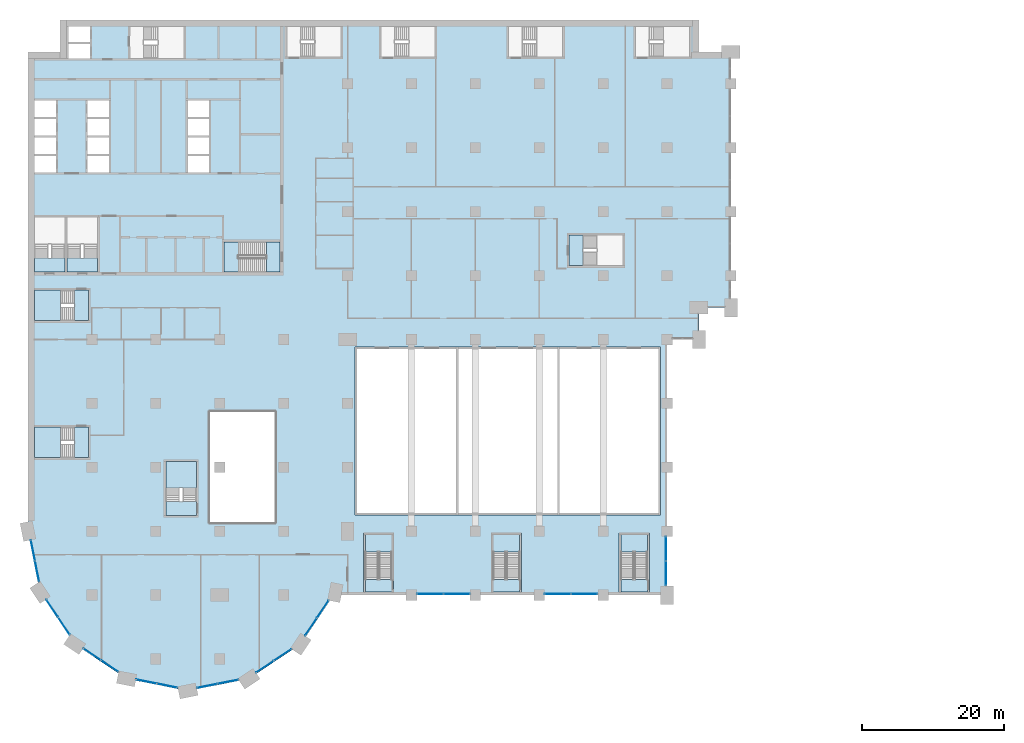
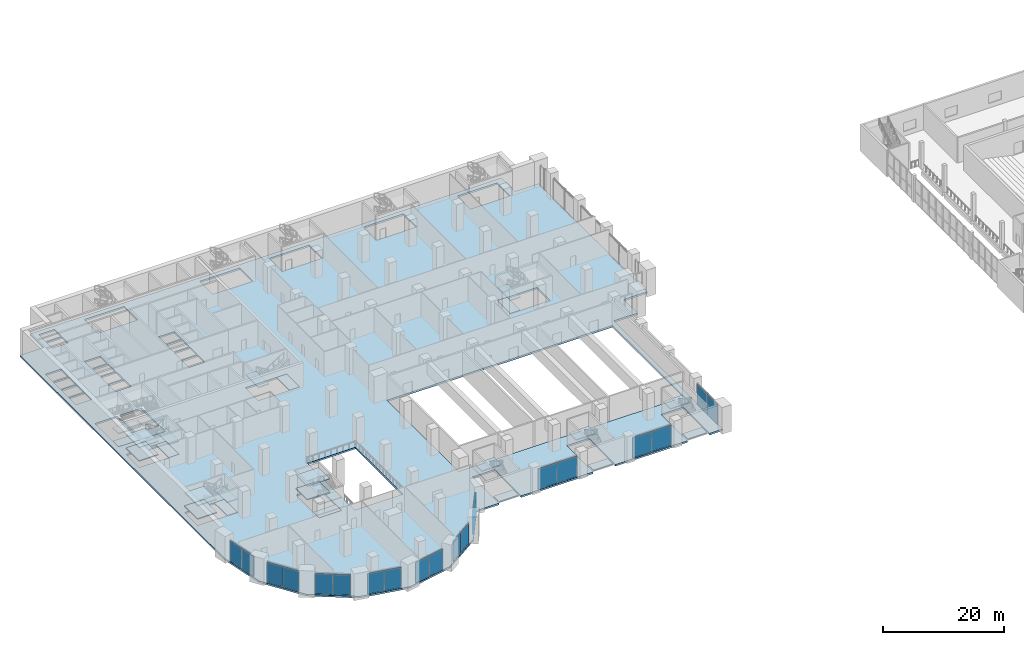
# One storey, part 11 of 43: 27 slabs, 20 plates, 20 elements without a shape of their own.
"""IFC4 building model written with IfcOpenShell, lengths in metres."""

from ifc_helpers import new_model, si_unit, direction, frame, origin, origin_2d, place, context, subcontext, project, spatial, polyline, rectangle, outline, extrude, material, layer, layer_set, type_object, element, aggregate, save


model = new_model("IFC4")

# Units and contexts
model_context = context("Model", 3, precision=1e-05, world=origin(), true_north=direction((0.0, 1.0)))
body_context = subcontext(model_context, "Body", "Model", "MODEL_VIEW")
ifc_project = project(units=[si_unit("LENGTHUNIT", "METRE"), si_unit("AREAUNIT", "SQUARE_METRE"), si_unit("VOLUMEUNIT", "CUBIC_METRE"), si_unit("PLANEANGLEUNIT", "RADIAN"), si_unit("MASSUNIT", "GRAM", prefix="KILO")], contexts=[model_context])

# Site, building, storey
site_placement = place(None, origin())
site = spatial("IfcSite", under=ifc_project, at=site_placement, CompositionType="ELEMENT")
building_placement = place(site_placement, origin())
building = spatial("IfcBuilding", under=site, at=building_placement, Name="Hunhe Ridgeline Campus", CompositionType="ELEMENT")
storey_placement = place(building_placement, frame((0.0, 0.0, 11.39990234375)))
storey = spatial("IfcBuildingStorey", under=building, at=storey_placement, Name="L02", CompositionType="ELEMENT", Elevation=11.39990234375)

# Curtain wall, plates
ifc_material_1 = material(Name="Aluminium and glass", Category="aluminium")
curtain_wall_type = type_object("IfcCurtainWallType", Name="Podium curtain wall CW-2", PredefinedType="NOTDEFINED", material=ifc_material_1)
curtain_wall_1_placement = place(storey_placement, origin())
curtain_wall_1 = element("IfcCurtainWall", 1, at=curtain_wall_1_placement, inside=storey, type_object=curtain_wall_type, Name="L02 podium curtain wall 9", PredefinedType="NOTDEFINED")
ifc_material_2 = material(Name="Clear glass", Category="glass")
ifc_layer_1 = layer(ifc_material_2, 0.028076171875)
ifc_layer_set_1 = layer_set([ifc_layer_1], Name="CW-2 clear glass panel 28")
plate_type = type_object("IfcPlateType", Name="CW-2 clear glass panel 28", PredefinedType="CURTAIN_PANEL", material=ifc_layer_set_1)
plate_1_placement = place(storey_placement, frame((0.69677734375, 24.265869140625, 0.06005859375), z_axis=(0.0, 0.0, 1.0), x_axis=(0.195098458454, -0.98078366193, 0.0)))
plate_1 = element("IfcPlate", 2, at=plate_1_placement, type_object=plate_type, Name="CW2 panel 1.1", PredefinedType="CURTAIN_PANEL", context=body_context, shape_type="SweptSolid", body=[
    extrude(rectangle(XDim=2.914794921875, YDim=0.028076171875, at=origin_2d()), origin(), (0.0, 0.0, 1.0), 4.1298828125),
])
plate_2_placement = place(storey_placement, frame((1.277099609375, 21.34814453125, 0.06005859375), z_axis=(0.0, 0.0, 1.0), x_axis=(0.195098458454, -0.98078366193, 0.0)))
plate_2 = element("IfcPlate", 3, at=plate_2_placement, type_object=plate_type, Name="CW2 panel 2.1", PredefinedType="CURTAIN_PANEL", context=body_context, shape_type="SweptSolid", body=[
    extrude(rectangle(XDim=2.914794921875, YDim=0.028076171875, at=origin_2d()), origin(), (0.0, 0.0, 1.0), 4.1298828125),
])
aggregate(curtain_wall_1, [plate_1, plate_2])

curtain_wall_2_placement = place(storey_placement, origin())
curtain_wall_2 = element("IfcCurtainWall", 4, at=curtain_wall_2_placement, inside=storey, type_object=curtain_wall_type, Name="L02 podium curtain wall 10", PredefinedType="NOTDEFINED")
plate_3_placement = place(storey_placement, frame((3.40283203125, 16.13037109375, 0.06005859375), z_axis=(0.0, 0.0, 1.0), x_axis=(0.555579224709, -0.831463604177, 0.0)))
plate_3 = element("IfcPlate", 5, at=plate_3_placement, type_object=plate_type, Name="CW2 panel 1.1", PredefinedType="CURTAIN_PANEL", context=body_context, shape_type="SweptSolid", body=[
    extrude(rectangle(XDim=2.914794921875, YDim=0.028076171875, at=origin_2d()), origin(), (0.0, 0.0, 1.0), 4.1298828125),
])
plate_4_placement = place(storey_placement, frame((5.055419921875, 13.65673828125, 0.06005859375), z_axis=(0.0, 0.0, 1.0), x_axis=(0.555579224709, -0.831463604177, 0.0)))
plate_4 = element("IfcPlate", 6, at=plate_4_placement, type_object=plate_type, Name="CW2 panel 2.1", PredefinedType="CURTAIN_PANEL", context=body_context, shape_type="SweptSolid", body=[
    extrude(rectangle(XDim=2.914794921875, YDim=0.028076171875, at=origin_2d()), origin(), (0.0, 0.0, 1.0), 4.1298828125),
])
aggregate(curtain_wall_2, [plate_3, plate_4])

curtain_wall_3_placement = place(storey_placement, origin())
curtain_wall_3 = element("IfcCurtainWall", 7, at=curtain_wall_3_placement, inside=storey, type_object=curtain_wall_type, Name="L02 podium curtain wall 11", PredefinedType="NOTDEFINED")
plate_5_placement = place(storey_placement, frame((9.01611328125, 9.649658203125, 0.06005859375), z_axis=(0.0, 0.0, 1.0), x_axis=(0.831468740176, -0.555571538247, 0.0)))
plate_5 = element("IfcPlate", 8, at=plate_5_placement, type_object=plate_type, Name="CW2 panel 1.1", PredefinedType="CURTAIN_PANEL", context=body_context, shape_type="SweptSolid", body=[
    extrude(rectangle(XDim=2.9150390625, YDim=0.028076171875, at=origin_2d()), origin(), (0.0, 0.0, 1.0), 4.1298828125),
])
plate_6_placement = place(storey_placement, frame((11.489501953125, 7.996826171875, 0.06005859375), z_axis=(0.0, 0.0, 1.0), x_axis=(0.831468740176, -0.555571538247, 0.0)))
plate_6 = element("IfcPlate", 9, at=plate_6_placement, type_object=plate_type, Name="CW2 panel 2.1", PredefinedType="CURTAIN_PANEL", context=body_context, shape_type="SweptSolid", body=[
    extrude(rectangle(XDim=2.9150390625, YDim=0.028076171875, at=origin_2d()), origin(), (0.0, 0.0, 1.0), 4.1298828125),
])
aggregate(curtain_wall_3, [plate_5, plate_6])

curtain_wall_4_placement = place(storey_placement, origin())
curtain_wall_4 = element("IfcCurtainWall", 10, at=curtain_wall_4_placement, inside=storey, type_object=curtain_wall_type, Name="L02 podium curtain wall 12", PredefinedType="NOTDEFINED")
plate_7_placement = place(storey_placement, frame((16.68212890625, 5.81005859375, 0.06005859375), z_axis=(0.0, 0.0, 1.0), x_axis=(0.980787479014, -0.195079268527, 0.0)))
plate_7 = element("IfcPlate", 11, at=plate_7_placement, type_object=plate_type, Name="CW2 panel 1.1", PredefinedType="CURTAIN_PANEL", context=body_context, shape_type="SweptSolid", body=[
    extrude(rectangle(XDim=2.9150390625, YDim=0.028076171875, at=origin_2d()), origin(), (0.0, 0.0, 1.0), 4.1298828125),
])
plate_8_placement = place(storey_placement, frame((19.60009765625, 5.229736328125, 0.06005859375), z_axis=(0.0, 0.0, 1.0), x_axis=(0.980787479014, -0.195079268527, 0.0)))
plate_8 = element("IfcPlate", 12, at=plate_8_placement, type_object=plate_type, Name="CW2 panel 2.1", PredefinedType="CURTAIN_PANEL", context=body_context, shape_type="SweptSolid", body=[
    extrude(rectangle(XDim=2.9150390625, YDim=0.028076171875, at=origin_2d()), origin(), (0.0, 0.0, 1.0), 4.1298828125),
])
aggregate(curtain_wall_4, [plate_7, plate_8])

curtain_wall_5_placement = place(storey_placement, origin())
curtain_wall_5 = element("IfcCurtainWall", 13, at=curtain_wall_5_placement, inside=storey, type_object=curtain_wall_type, Name="L02 podium curtain wall 13", PredefinedType="NOTDEFINED")
plate_9_placement = place(storey_placement, frame((25.234130859375, 5.19677734375, 0.06005859375), z_axis=(0.0, 0.0, 1.0), x_axis=(0.98078366193, 0.195098458454, 0.0)))
plate_9 = element("IfcPlate", 14, at=plate_9_placement, type_object=plate_type, Name="CW2 panel 1.1", PredefinedType="CURTAIN_PANEL", context=body_context, shape_type="SweptSolid", body=[
    extrude(rectangle(XDim=2.914794921875, YDim=0.028076171875, at=origin_2d()), origin(), (0.0, 0.0, 1.0), 4.1298828125),
])
plate_10_placement = place(storey_placement, frame((28.15185546875, 5.777099609375, 0.06005859375), z_axis=(0.0, 0.0, 1.0), x_axis=(0.98078366193, 0.195098458454, 0.0)))
plate_10 = element("IfcPlate", 15, at=plate_10_placement, type_object=plate_type, Name="CW2 panel 2.1", PredefinedType="CURTAIN_PANEL", context=body_context, shape_type="SweptSolid", body=[
    extrude(rectangle(XDim=2.914794921875, YDim=0.028076171875, at=origin_2d()), origin(), (0.0, 0.0, 1.0), 4.1298828125),
])
aggregate(curtain_wall_5, [plate_9, plate_10])

curtain_wall_6_placement = place(storey_placement, origin())
curtain_wall_6 = element("IfcCurtainWall", 16, at=curtain_wall_6_placement, inside=storey, type_object=curtain_wall_type, Name="L02 podium curtain wall 14", PredefinedType="NOTDEFINED")
plate_11_placement = place(storey_placement, frame((33.36962890625, 7.90283203125, 0.06005859375), z_axis=(0.0, 0.0, 1.0), x_axis=(0.831463604177, 0.555579224709, 0.0)))
plate_11 = element("IfcPlate", 17, at=plate_11_placement, type_object=plate_type, Name="CW2 panel 1.1", PredefinedType="CURTAIN_PANEL", context=body_context, shape_type="SweptSolid", body=[
    extrude(rectangle(XDim=2.914794921875, YDim=0.028076171875, at=origin_2d()), origin(), (0.0, 0.0, 1.0), 4.1298828125),
])
plate_12_placement = place(storey_placement, frame((35.84326171875, 9.555419921875, 0.06005859375), z_axis=(0.0, 0.0, 1.0), x_axis=(0.831463604177, 0.555579224709, 0.0)))
plate_12 = element("IfcPlate", 18, at=plate_12_placement, type_object=plate_type, Name="CW2 panel 2.1", PredefinedType="CURTAIN_PANEL", context=body_context, shape_type="SweptSolid", body=[
    extrude(rectangle(XDim=2.914794921875, YDim=0.028076171875, at=origin_2d()), origin(), (0.0, 0.0, 1.0), 4.1298828125),
])
aggregate(curtain_wall_6, [plate_11, plate_12])

curtain_wall_7_placement = place(storey_placement, origin())
curtain_wall_7 = element("IfcCurtainWall", 19, at=curtain_wall_7_placement, inside=storey, type_object=curtain_wall_type, Name="L02 podium curtain wall 15", PredefinedType="NOTDEFINED")
plate_13_placement = place(storey_placement, frame((39.850341796875, 13.51611328125, 0.06005859375), z_axis=(0.0, 0.0, 1.0), x_axis=(0.555571538247, 0.831468740176, 0.0)))
plate_13 = element("IfcPlate", 20, at=plate_13_placement, type_object=plate_type, Name="CW2 panel 1.1", PredefinedType="CURTAIN_PANEL", context=body_context, shape_type="SweptSolid", body=[
    extrude(rectangle(XDim=2.9150390625, YDim=0.028076171875, at=origin_2d()), origin(), (0.0, 0.0, 1.0), 4.1298828125),
])
plate_14_placement = place(storey_placement, frame((41.503173828125, 15.989501953125, 0.06005859375), z_axis=(0.0, 0.0, 1.0), x_axis=(0.555571538247, 0.831468740176, 0.0)))
plate_14 = element("IfcPlate", 21, at=plate_14_placement, type_object=plate_type, Name="CW2 panel 2.1", PredefinedType="CURTAIN_PANEL", context=body_context, shape_type="SweptSolid", body=[
    extrude(rectangle(XDim=2.9150390625, YDim=0.028076171875, at=origin_2d()), origin(), (0.0, 0.0, 1.0), 4.1298828125),
])
aggregate(curtain_wall_7, [plate_13, plate_14])

curtain_wall_8_placement = place(storey_placement, origin())
curtain_wall_8 = element("IfcCurtainWall", 22, at=curtain_wall_8_placement, inside=storey, type_object=curtain_wall_type, Name="L02 podium curtain wall 17", PredefinedType="NOTDEFINED")
plate_15_placement = place(storey_placement, frame((56.639892578125, 18.14990234375, 0.06005859375), z_axis=(0.0, 0.0, 1.0), x_axis=(1.0, 0.0, 0.0)))
plate_15 = element("IfcPlate", 23, at=plate_15_placement, type_object=plate_type, Name="CW2 panel 1.1", PredefinedType="CURTAIN_PANEL", context=body_context, shape_type="SweptSolid", body=[
    extrude(rectangle(XDim=3.659912109375, YDim=0.028076171875, at=origin_2d()), origin(), (0.0, 0.0, 1.0), 4.1298828125),
])
plate_16_placement = place(storey_placement, frame((60.360107421875, 18.14990234375, 0.06005859375), z_axis=(0.0, 0.0, 1.0), x_axis=(1.0, 0.0, 0.0)))
plate_16 = element("IfcPlate", 24, at=plate_16_placement, type_object=plate_type, Name="CW2 panel 2.1", PredefinedType="CURTAIN_PANEL", context=body_context, shape_type="SweptSolid", body=[
    extrude(rectangle(XDim=3.659912109375, YDim=0.028076171875, at=origin_2d()), origin(), (0.0, 0.0, 1.0), 4.1298828125),
])
aggregate(curtain_wall_8, [plate_15, plate_16])

curtain_wall_9_placement = place(storey_placement, origin())
curtain_wall_9 = element("IfcCurtainWall", 25, at=curtain_wall_9_placement, inside=storey, type_object=curtain_wall_type, Name="L02 podium curtain wall 19", PredefinedType="NOTDEFINED")
plate_17_placement = place(storey_placement, frame((74.639892578125, 18.14990234375, 0.06005859375), z_axis=(0.0, 0.0, 1.0), x_axis=(1.0, 0.0, 0.0)))
plate_17 = element("IfcPlate", 26, at=plate_17_placement, type_object=plate_type, Name="CW2 panel 1.1", PredefinedType="CURTAIN_PANEL", context=body_context, shape_type="SweptSolid", body=[
    extrude(rectangle(XDim=3.659912109375, YDim=0.028076171875, at=origin_2d()), origin(), (0.0, 0.0, 1.0), 4.1298828125),
])
plate_18_placement = place(storey_placement, frame((78.360107421875, 18.14990234375, 0.06005859375), z_axis=(0.0, 0.0, 1.0), x_axis=(1.0, 0.0, 0.0)))
plate_18 = element("IfcPlate", 27, at=plate_18_placement, type_object=plate_type, Name="CW2 panel 2.1", PredefinedType="CURTAIN_PANEL", context=body_context, shape_type="SweptSolid", body=[
    extrude(rectangle(XDim=3.659912109375, YDim=0.028076171875, at=origin_2d()), origin(), (0.0, 0.0, 1.0), 4.1298828125),
])
aggregate(curtain_wall_9, [plate_17, plate_18])

curtain_wall_10_placement = place(storey_placement, origin())
curtain_wall_10 = element("IfcCurtainWall", 28, at=curtain_wall_10_placement, inside=storey, type_object=curtain_wall_type, Name="L02 podium curtain wall 21", PredefinedType="NOTDEFINED")
plate_19_placement = place(storey_placement, frame((89.85009765625, 21.052490234375, 0.06005859375), z_axis=(0.0, 0.0, 1.0), x_axis=(0.0, 1.0, 0.0)))
plate_19 = element("IfcPlate", 29, at=plate_19_placement, type_object=plate_type, Name="CW2 panel 1.1", PredefinedType="CURTAIN_PANEL", context=body_context, shape_type="SweptSolid", body=[
    extrude(rectangle(XDim=3.385009765625, YDim=0.028076171875, at=origin_2d()), origin(), (0.0, 0.0, 1.0), 4.1298828125),
])
plate_20_placement = place(storey_placement, frame((89.85009765625, 24.49755859375, 0.06005859375), z_axis=(0.0, 0.0, 1.0), x_axis=(0.0, 1.0, 0.0)))
plate_20 = element("IfcPlate", 30, at=plate_20_placement, type_object=plate_type, Name="CW2 panel 2.1", PredefinedType="CURTAIN_PANEL", context=body_context, shape_type="SweptSolid", body=[
    extrude(rectangle(XDim=3.385009765625, YDim=0.028076171875, at=origin_2d()), origin(), (0.0, 0.0, 1.0), 4.1298828125),
])
aggregate(curtain_wall_10, [plate_19, plate_20])

# Slab
ifc_material_3 = material(Name="Concrete C40", Category="concrete")
ifc_layer_2 = layer(ifc_material_3, 0.35009765625)
ifc_layer_set_2 = layer_set([ifc_layer_2], Name="Podium floor slab 350 C40")
slab_type_1 = type_object("IfcSlabType", Name="Podium floor slab 350 C40", PredefinedType="FLOOR", material=ifc_layer_set_2)
slab_1_placement = place(storey_placement, frame((0.0, 0.0, -0.349853515625)))
element("IfcSlab", 31, at=slab_1_placement, inside=storey, type_object=slab_type_1, Name="L02 floor slab 1", PredefinedType="FLOOR", context=body_context, shape_type="SweptSolid", body=[
    extrude(outline(polyline([(90.0, 18.0), (90.0, 54.0), (94.5, 54.0), (94.5, 58.5), (99.0, 58.5), (99.0, 94.5), (94.5, 94.5), (94.5, 99.0), (4.5, 99.0), (4.5, 94.5), (0.0, 94.5), (0.0, 27.0), (1.712646484375, 18.3896484375), (6.590087890625, 11.090087890625), (13.8896484375, 6.212646484375), (22.5, 4.5), (31.1103515625, 6.212646484375), (38.409912109375, 11.090087890625), (43.027099609375, 18.0), (47.25, 18.0), (47.25, 26.75), (51.5, 26.75), (51.5, 18.0), (65.25, 18.0), (65.25, 26.75), (69.5, 26.75), (69.5, 18.0), (83.25, 18.0), (83.25, 26.75), (87.5, 26.75), (87.5, 18.0), (90.0, 18.0)]), holes=[polyline([(23.699951171875, 36.800048828125), (19.39990234375, 36.800048828125), (19.39990234375, 29.199951171875), (23.699951171875, 29.199951171875), (23.699951171875, 36.800048828125)]), polyline([(8.5, 41.64990234375), (0.89990234375, 41.64990234375), (0.89990234375, 37.35009765625), (8.5, 37.35009765625), (8.5, 41.64990234375)]), polyline([(8.5, 60.949951171875), (0.89990234375, 60.949951171875), (0.89990234375, 56.64990234375), (8.5, 56.64990234375), (8.5, 60.949951171875)]), polyline([(5.199951171875, 63.5), (5.199951171875, 71.25), (0.89990234375, 71.25), (0.89990234375, 63.5), (5.199951171875, 63.5)]), polyline([(9.800048828125, 63.5), (9.800048828125, 71.25), (5.5, 71.25), (5.5, 63.5), (9.800048828125, 63.5)]), polyline([(0.89990234375, 77.550048828125), (3.89990234375, 77.550048828125), (3.89990234375, 79.85009765625), (0.89990234375, 79.85009765625), (0.89990234375, 77.550048828125)]), polyline([(8.39990234375, 77.550048828125), (11.39990234375, 77.550048828125), (11.39990234375, 79.85009765625), (8.39990234375, 79.85009765625), (8.39990234375, 77.550048828125)]), polyline([(0.89990234375, 80.14990234375), (3.89990234375, 80.14990234375), (3.89990234375, 82.449951171875), (0.89990234375, 82.449951171875), (0.89990234375, 80.14990234375)]), polyline([(8.39990234375, 80.14990234375), (11.39990234375, 80.14990234375), (11.39990234375, 82.449951171875), (8.39990234375, 82.449951171875), (8.39990234375, 80.14990234375)]), polyline([(0.89990234375, 82.75), (3.89990234375, 82.75), (3.89990234375, 85.050048828125), (0.89990234375, 85.050048828125), (0.89990234375, 82.75)]), polyline([(8.39990234375, 82.75), (11.39990234375, 82.75), (11.39990234375, 85.050048828125), (8.39990234375, 85.050048828125), (8.39990234375, 82.75)]), polyline([(0.89990234375, 85.35009765625), (3.89990234375, 85.35009765625), (3.89990234375, 87.64990234375), (0.89990234375, 87.64990234375), (0.89990234375, 85.35009765625)]), polyline([(8.39990234375, 85.35009765625), (11.39990234375, 85.35009765625), (11.39990234375, 87.64990234375), (8.39990234375, 87.64990234375), (8.39990234375, 85.35009765625)]), polyline([(5.699951171875, 93.60009765625), (8.699951171875, 93.60009765625), (8.699951171875, 95.60009765625), (5.699951171875, 95.60009765625), (5.699951171875, 93.60009765625)]), polyline([(14.35009765625, 93.60009765625), (21.949951171875, 93.60009765625), (21.949951171875, 98.10009765625), (14.35009765625, 98.10009765625), (14.35009765625, 93.60009765625)]), polyline([(5.699951171875, 95.89990234375), (8.699951171875, 95.89990234375), (8.699951171875, 98.10009765625), (5.699951171875, 98.10009765625), (5.699951171875, 95.89990234375)]), polyline([(25.60009765625, 43.800048828125), (25.60009765625, 28.199951171875), (34.800048828125, 28.199951171875), (34.800048828125, 43.800048828125), (25.60009765625, 43.800048828125)]), polyline([(74.550048828125, 29.25), (74.85009765625, 29.25), (89.10009765625, 29.25), (89.10009765625, 52.949951171875), (74.85009765625, 52.949951171875), (74.550048828125, 52.949951171875), (60.60009765625, 52.949951171875), (60.300048828125, 52.949951171875), (46.050048828125, 52.949951171875), (46.050048828125, 29.25), (60.300048828125, 29.25), (60.60009765625, 29.25), (74.550048828125, 29.25)]), polyline([(35.5, 67.75), (27.60009765625, 67.75), (27.60009765625, 63.5), (35.5, 63.5), (35.5, 67.75)]), polyline([(76.199951171875, 64.39990234375), (83.800048828125, 64.39990234375), (83.800048828125, 68.699951171875), (76.199951171875, 68.699951171875), (76.199951171875, 64.39990234375)]), polyline([(22.5, 77.550048828125), (25.5, 77.550048828125), (25.5, 79.85009765625), (22.5, 79.85009765625), (22.5, 77.550048828125)]), polyline([(22.5, 80.14990234375), (25.5, 80.14990234375), (25.5, 82.449951171875), (22.5, 82.449951171875), (22.5, 80.14990234375)]), polyline([(22.5, 82.75), (25.5, 82.75), (25.5, 85.050048828125), (22.5, 85.050048828125), (22.5, 82.75)]), polyline([(22.5, 85.35009765625), (25.5, 85.35009765625), (25.5, 87.64990234375), (22.5, 87.64990234375), (22.5, 85.35009765625)]), polyline([(36.449951171875, 93.800048828125), (44.050048828125, 93.800048828125), (44.050048828125, 98.10009765625), (36.449951171875, 98.10009765625), (36.449951171875, 93.800048828125)]), polyline([(49.699951171875, 93.800048828125), (57.300048828125, 93.800048828125), (57.300048828125, 98.10009765625), (49.699951171875, 98.10009765625), (49.699951171875, 93.800048828125)]), polyline([(67.699951171875, 93.800048828125), (75.300048828125, 93.800048828125), (75.300048828125, 98.10009765625), (67.699951171875, 98.10009765625), (67.699951171875, 93.800048828125)]), polyline([(85.550048828125, 93.800048828125), (93.14990234375, 93.800048828125), (93.14990234375, 98.10009765625), (85.550048828125, 98.10009765625), (85.550048828125, 93.800048828125)])]), origin(), (0.0, 0.0, 1.0), 0.349853515625),
])

# Stair, slabs
stair_type_1 = type_object("IfcStairType", Name="Podium exit stair 1800", PredefinedType="HALF_TURN_STAIR", material=ifc_material_3)
stair_1_placement = place(storey_placement, origin())
stair_1 = element("IfcStair", 32, at=stair_1_placement, inside=storey, type_object=stair_type_1, Name="L02 podium stair PS1", PredefinedType="HALF_TURN_STAIR")
ifc_layer_3 = layer(ifc_material_3, 0.199951171875)
ifc_layer_set_3 = layer_set([ifc_layer_3], Name="Podium stair landing 200 C40")
slab_type_2 = type_object("IfcSlabType", Name="Podium stair landing 200 C40", PredefinedType="LANDING", material=ifc_layer_set_3)
slab_2_placement = place(storey_placement, frame((0.0, 0.0, 2.5)))
slab_2 = element("IfcSlab", 33, at=slab_2_placement, type_object=slab_type_2, Name="PS1 landing 1", PredefinedType="LANDING", context=body_context, shape_type="SweptSolid", body=[
    extrude(outline(polyline([(51.25, 24.10009765625), (51.25, 26.5), (47.5, 26.5), (47.5, 24.10009765625), (51.25, 24.10009765625)])), origin(), (0.0, 0.0, 1.0), 0.2001953125),
])
slab_3_placement = place(storey_placement, frame((0.0, 0.0, -0.199951171875)))
slab_3 = element("IfcSlab", 34, at=slab_3_placement, type_object=slab_type_2, Name="PS1 landing 2", PredefinedType="LANDING", context=body_context, shape_type="SweptSolid", body=[
    extrude(outline(polyline([(47.5, 18.39990234375), (51.25, 18.39990234375), (51.25, 20.199951171875), (47.5, 20.199951171875), (47.5, 18.39990234375)])), origin(), (0.0, 0.0, 1.0), 0.199951171875),
])
aggregate(stair_1, [slab_2, slab_3])

stair_2_placement = place(storey_placement, origin())
stair_2 = element("IfcStair", 35, at=stair_2_placement, inside=storey, type_object=stair_type_1, Name="L02 podium stair PS2", PredefinedType="HALF_TURN_STAIR")
slab_4_placement = place(storey_placement, frame((0.0, 0.0, 2.5)))
slab_4 = element("IfcSlab", 36, at=slab_4_placement, type_object=slab_type_2, Name="PS2 landing 1", PredefinedType="LANDING", context=body_context, shape_type="SweptSolid", body=[
    extrude(outline(polyline([(69.25, 24.10009765625), (69.25, 26.5), (65.5, 26.5), (65.5, 24.10009765625), (69.25, 24.10009765625)])), origin(), (0.0, 0.0, 1.0), 0.2001953125),
])
slab_5_placement = place(storey_placement, frame((0.0, 0.0, -0.199951171875)))
slab_5 = element("IfcSlab", 37, at=slab_5_placement, type_object=slab_type_2, Name="PS2 landing 2", PredefinedType="LANDING", context=body_context, shape_type="SweptSolid", body=[
    extrude(outline(polyline([(65.5, 18.39990234375), (69.25, 18.39990234375), (69.25, 20.199951171875), (65.5, 20.199951171875), (65.5, 18.39990234375)])), origin(), (0.0, 0.0, 1.0), 0.199951171875),
])
aggregate(stair_2, [slab_4, slab_5])

stair_3_placement = place(storey_placement, origin())
stair_3 = element("IfcStair", 38, at=stair_3_placement, inside=storey, type_object=stair_type_1, Name="L02 podium stair PS3", PredefinedType="HALF_TURN_STAIR")
slab_6_placement = place(storey_placement, frame((0.0, 0.0, 2.5)))
slab_6 = element("IfcSlab", 39, at=slab_6_placement, type_object=slab_type_2, Name="PS3 landing 1", PredefinedType="LANDING", context=body_context, shape_type="SweptSolid", body=[
    extrude(outline(polyline([(87.25, 24.10009765625), (87.25, 26.5), (83.5, 26.5), (83.5, 24.10009765625), (87.25, 24.10009765625)])), origin(), (0.0, 0.0, 1.0), 0.2001953125),
])
slab_7_placement = place(storey_placement, frame((0.0, 0.0, -0.199951171875)))
slab_7 = element("IfcSlab", 40, at=slab_7_placement, type_object=slab_type_2, Name="PS3 landing 2", PredefinedType="LANDING", context=body_context, shape_type="SweptSolid", body=[
    extrude(outline(polyline([(83.5, 18.39990234375), (87.25, 18.39990234375), (87.25, 20.199951171875), (83.5, 20.199951171875), (83.5, 18.39990234375)])), origin(), (0.0, 0.0, 1.0), 0.199951171875),
])
aggregate(stair_3, [slab_6, slab_7])

# Stair, slab
stair_type_2 = type_object("IfcStairType", Name="Reinforced concrete dog-leg stair 1950 Concrete C40", PredefinedType="HALF_TURN_STAIR", material=ifc_material_3)
stair_4_placement = place(storey_placement, origin())
stair_4 = element("IfcStair", 41, at=stair_4_placement, inside=storey, type_object=stair_type_2, Name="L02 S2", PredefinedType="HALF_TURN_STAIR")
ifc_layer_4 = layer(ifc_material_3, 0.199951171875)
ifc_layer_set_4 = layer_set([ifc_layer_4], Name="Reinforced concrete stair landing 200 Concrete C40")
slab_type_3 = type_object("IfcSlabType", Name="Reinforced concrete stair landing 200 Concrete C40", PredefinedType="LANDING", material=ifc_layer_set_4)
slab_8_placement = place(storey_placement, frame((0.0, 0.0, 2.5)))
slab_8 = element("IfcSlab", 42, at=slab_8_placement, type_object=slab_type_3, Name="ST2 landing 1", PredefinedType="LANDING", context=body_context, shape_type="SweptSolid", body=[
    extrude(outline(polyline([(29.6298828125, 67.75), (27.60009765625, 67.75), (27.60009765625, 63.5), (29.6298828125, 63.5), (29.6298828125, 67.75)])), origin(), (0.0, 0.0, 1.0), 0.2001953125),
])
aggregate(stair_4, [slab_8])

# Slab
slab_9_placement = place(storey_placement, frame((0.0, 0.0, -0.199951171875)))
element("IfcSlab", 43, at=slab_9_placement, inside=storey, type_object=slab_type_3, Name="L02 stair S2 floor landing", PredefinedType="LANDING", context=body_context, shape_type="SweptSolid", body=[
    extrude(outline(polyline([(35.5, 67.75), (33.550048828125, 67.75), (33.550048828125, 63.5), (35.5, 63.5), (35.5, 67.75)])), origin(), (0.0, 0.0, 1.0), 0.199951171875),
])

# Stair, slab
stair_5_placement = place(storey_placement, origin())
stair_5 = element("IfcStair", 44, at=stair_5_placement, inside=storey, type_object=stair_type_2, Name="L02 S3", PredefinedType="HALF_TURN_STAIR")
slab_10_placement = place(storey_placement, frame((0.0, 0.0, 2.5)))
slab_10 = element("IfcSlab", 45, at=slab_10_placement, type_object=slab_type_3, Name="ST3 landing 2", PredefinedType="LANDING", context=body_context, shape_type="SweptSolid", body=[
    extrude(outline(polyline([(5.199951171875, 63.5), (5.199951171875, 65.449951171875), (0.89990234375, 65.449951171875), (0.89990234375, 63.5), (5.199951171875, 63.5)])), origin(), (0.0, 0.0, 1.0), 0.2001953125),
])
aggregate(stair_5, [slab_10])

# Slab
slab_11_placement = place(storey_placement, frame((0.0, 0.0, -0.199951171875)))
element("IfcSlab", 46, at=slab_11_placement, inside=storey, type_object=slab_type_3, Name="L02 stair S3 floor landing", PredefinedType="LANDING", context=body_context, shape_type="SweptSolid", body=[
    extrude(outline(polyline([(5.199951171875, 63.5), (5.199951171875, 65.449951171875), (0.89990234375, 65.449951171875), (0.89990234375, 63.5), (5.199951171875, 63.5)])), origin(), (0.0, 0.0, 1.0), 0.199951171875),
])

# Stair, slab
stair_6_placement = place(storey_placement, origin())
stair_6 = element("IfcStair", 47, at=stair_6_placement, inside=storey, type_object=stair_type_2, Name="L02 S4", PredefinedType="HALF_TURN_STAIR")
slab_12_placement = place(storey_placement, frame((0.0, 0.0, 2.5)))
slab_12 = element("IfcSlab", 48, at=slab_12_placement, type_object=slab_type_3, Name="ST4 landing 2", PredefinedType="LANDING", context=body_context, shape_type="SweptSolid", body=[
    extrude(outline(polyline([(9.800048828125, 63.5), (9.800048828125, 65.449951171875), (5.5, 65.449951171875), (5.5, 63.5), (9.800048828125, 63.5)])), origin(), (0.0, 0.0, 1.0), 0.2001953125),
])
aggregate(stair_6, [slab_12])

# Slab
slab_13_placement = place(storey_placement, frame((0.0, 0.0, -0.199951171875)))
element("IfcSlab", 49, at=slab_13_placement, inside=storey, type_object=slab_type_3, Name="L02 stair S4 floor landing", PredefinedType="LANDING", context=body_context, shape_type="SweptSolid", body=[
    extrude(outline(polyline([(9.800048828125, 63.5), (9.800048828125, 65.449951171875), (5.5, 65.449951171875), (5.5, 63.5), (9.800048828125, 63.5)])), origin(), (0.0, 0.0, 1.0), 0.199951171875),
])

# Stair, slabs
stair_7_placement = place(storey_placement, origin())
stair_7 = element("IfcStair", 50, at=stair_7_placement, inside=storey, type_object=stair_type_2, Name="L02 W3", PredefinedType="HALF_TURN_STAIR")
slab_14_placement = place(storey_placement, frame((0.0, 0.0, 1.150146484375)))
slab_14 = element("IfcSlab", 51, at=slab_14_placement, type_object=slab_type_3, Name="ST9 landing 1", PredefinedType="LANDING", context=body_context, shape_type="SweptSolid", body=[
    extrude(outline(polyline([(23.699951171875, 33.110107421875), (23.699951171875, 36.800048828125), (19.39990234375, 36.800048828125), (19.39990234375, 33.110107421875), (23.699951171875, 33.110107421875)])), origin(), (0.0, 0.0, 1.0), 0.199951171875),
])
slab_15_placement = place(storey_placement, frame((0.0, 0.0, 2.5)))
slab_15 = element("IfcSlab", 52, at=slab_15_placement, type_object=slab_type_3, Name="ST9 landing 2", PredefinedType="LANDING", context=body_context, shape_type="SweptSolid", body=[
    extrude(outline(polyline([(23.699951171875, 29.199951171875), (23.699951171875, 31.14990234375), (19.39990234375, 31.14990234375), (19.39990234375, 29.199951171875), (23.699951171875, 29.199951171875)])), origin(), (0.0, 0.0, 1.0), 0.2001953125),
])
slab_16_placement = place(storey_placement, frame((0.0, 0.0, 3.85009765625)))
slab_16 = element("IfcSlab", 53, at=slab_16_placement, type_object=slab_type_3, Name="ST9 landing 3", PredefinedType="LANDING", context=body_context, shape_type="SweptSolid", body=[
    extrude(outline(polyline([(23.699951171875, 33.110107421875), (23.699951171875, 36.800048828125), (19.39990234375, 36.800048828125), (19.39990234375, 33.110107421875), (23.699951171875, 33.110107421875)])), origin(), (0.0, 0.0, 1.0), 0.199951171875),
])
aggregate(stair_7, [slab_14, slab_15, slab_16])

# Slab
slab_17_placement = place(storey_placement, frame((0.0, 0.0, -0.199951171875)))
element("IfcSlab", 54, at=slab_17_placement, inside=storey, type_object=slab_type_3, Name="L02 stair W3 floor landing", PredefinedType="LANDING", context=body_context, shape_type="SweptSolid", body=[
    extrude(outline(polyline([(23.699951171875, 29.199951171875), (23.699951171875, 31.14990234375), (19.39990234375, 31.14990234375), (19.39990234375, 29.199951171875), (23.699951171875, 29.199951171875)])), origin(), (0.0, 0.0, 1.0), 0.199951171875),
])

# Stair, slab
stair_8_placement = place(storey_placement, origin())
stair_8 = element("IfcStair", 55, at=stair_8_placement, inside=storey, type_object=stair_type_2, Name="L02 E5", PredefinedType="HALF_TURN_STAIR")
slab_18_placement = place(storey_placement, frame((0.0, 0.0, 2.5)))
slab_18 = element("IfcSlab", 56, at=slab_18_placement, type_object=slab_type_3, Name="ST10 landing 2", PredefinedType="LANDING", context=body_context, shape_type="SweptSolid", body=[
    extrude(outline(polyline([(76.199951171875, 64.39990234375), (78.14990234375, 64.39990234375), (78.14990234375, 68.699951171875), (76.199951171875, 68.699951171875), (76.199951171875, 64.39990234375)])), origin(), (0.0, 0.0, 1.0), 0.2001953125),
])
aggregate(stair_8, [slab_18])

# Slab
slab_19_placement = place(storey_placement, frame((0.0, 0.0, -0.199951171875)))
element("IfcSlab", 57, at=slab_19_placement, inside=storey, type_object=slab_type_3, Name="L02 stair E5 floor landing", PredefinedType="LANDING", context=body_context, shape_type="SweptSolid", body=[
    extrude(outline(polyline([(76.199951171875, 64.39990234375), (78.14990234375, 64.39990234375), (78.14990234375, 68.699951171875), (76.199951171875, 68.699951171875), (76.199951171875, 64.39990234375)])), origin(), (0.0, 0.0, 1.0), 0.199951171875),
])

# Stair, slabs
stair_9_placement = place(storey_placement, origin())
stair_9 = element("IfcStair", 58, at=stair_9_placement, inside=storey, type_object=stair_type_2, Name="L02 W1", PredefinedType="HALF_TURN_STAIR")
slab_20_placement = place(storey_placement, frame((0.0, 0.0, 1.150146484375)))
slab_20 = element("IfcSlab", 59, at=slab_20_placement, type_object=slab_type_3, Name="ST11 landing 1", PredefinedType="LANDING", context=body_context, shape_type="SweptSolid", body=[
    extrude(outline(polyline([(4.590087890625, 41.64990234375), (0.89990234375, 41.64990234375), (0.89990234375, 37.35009765625), (4.590087890625, 37.35009765625), (4.590087890625, 41.64990234375)])), origin(), (0.0, 0.0, 1.0), 0.199951171875),
])
slab_21_placement = place(storey_placement, frame((0.0, 0.0, 2.5)))
slab_21 = element("IfcSlab", 60, at=slab_21_placement, type_object=slab_type_3, Name="ST11 landing 2", PredefinedType="LANDING", context=body_context, shape_type="SweptSolid", body=[
    extrude(outline(polyline([(8.5, 41.64990234375), (6.550048828125, 41.64990234375), (6.550048828125, 37.35009765625), (8.5, 37.35009765625), (8.5, 41.64990234375)])), origin(), (0.0, 0.0, 1.0), 0.2001953125),
])
slab_22_placement = place(storey_placement, frame((0.0, 0.0, 3.85009765625)))
slab_22 = element("IfcSlab", 61, at=slab_22_placement, type_object=slab_type_3, Name="ST11 landing 3", PredefinedType="LANDING", context=body_context, shape_type="SweptSolid", body=[
    extrude(outline(polyline([(4.590087890625, 41.64990234375), (0.89990234375, 41.64990234375), (0.89990234375, 37.35009765625), (4.590087890625, 37.35009765625), (4.590087890625, 41.64990234375)])), origin(), (0.0, 0.0, 1.0), 0.199951171875),
])
aggregate(stair_9, [slab_20, slab_21, slab_22])

# Slab
slab_23_placement = place(storey_placement, frame((0.0, 0.0, -0.199951171875)))
element("IfcSlab", 62, at=slab_23_placement, inside=storey, type_object=slab_type_3, Name="L02 stair W1 floor landing", PredefinedType="LANDING", context=body_context, shape_type="SweptSolid", body=[
    extrude(outline(polyline([(8.5, 41.64990234375), (6.550048828125, 41.64990234375), (6.550048828125, 37.35009765625), (8.5, 37.35009765625), (8.5, 41.64990234375)])), origin(), (0.0, 0.0, 1.0), 0.199951171875),
])

# Stair, slabs
stair_10_placement = place(storey_placement, origin())
stair_10 = element("IfcStair", 63, at=stair_10_placement, inside=storey, type_object=stair_type_2, Name="L02 W2", PredefinedType="HALF_TURN_STAIR")
slab_24_placement = place(storey_placement, frame((0.0, 0.0, 1.150146484375)))
slab_24 = element("IfcSlab", 64, at=slab_24_placement, type_object=slab_type_3, Name="ST12 landing 1", PredefinedType="LANDING", context=body_context, shape_type="SweptSolid", body=[
    extrude(outline(polyline([(4.590087890625, 60.949951171875), (0.89990234375, 60.949951171875), (0.89990234375, 56.64990234375), (4.590087890625, 56.64990234375), (4.590087890625, 60.949951171875)])), origin(), (0.0, 0.0, 1.0), 0.199951171875),
])
slab_25_placement = place(storey_placement, frame((0.0, 0.0, 2.5)))
slab_25 = element("IfcSlab", 65, at=slab_25_placement, type_object=slab_type_3, Name="ST12 landing 2", PredefinedType="LANDING", context=body_context, shape_type="SweptSolid", body=[
    extrude(outline(polyline([(8.5, 60.949951171875), (6.550048828125, 60.949951171875), (6.550048828125, 56.64990234375), (8.5, 56.64990234375), (8.5, 60.949951171875)])), origin(), (0.0, 0.0, 1.0), 0.2001953125),
])
slab_26_placement = place(storey_placement, frame((0.0, 0.0, 3.85009765625)))
slab_26 = element("IfcSlab", 66, at=slab_26_placement, type_object=slab_type_3, Name="ST12 landing 3", PredefinedType="LANDING", context=body_context, shape_type="SweptSolid", body=[
    extrude(outline(polyline([(4.590087890625, 60.949951171875), (0.89990234375, 60.949951171875), (0.89990234375, 56.64990234375), (4.590087890625, 56.64990234375), (4.590087890625, 60.949951171875)])), origin(), (0.0, 0.0, 1.0), 0.199951171875),
])
aggregate(stair_10, [slab_24, slab_25, slab_26])

# Slab
slab_27_placement = place(storey_placement, frame((0.0, 0.0, -0.199951171875)))
element("IfcSlab", 67, at=slab_27_placement, inside=storey, type_object=slab_type_3, Name="L02 stair W2 floor landing", PredefinedType="LANDING", context=body_context, shape_type="SweptSolid", body=[
    extrude(outline(polyline([(8.5, 60.949951171875), (6.550048828125, 60.949951171875), (6.550048828125, 56.64990234375), (8.5, 56.64990234375), (8.5, 60.949951171875)])), origin(), (0.0, 0.0, 1.0), 0.199951171875),
])

save(model, "model.ifc")
